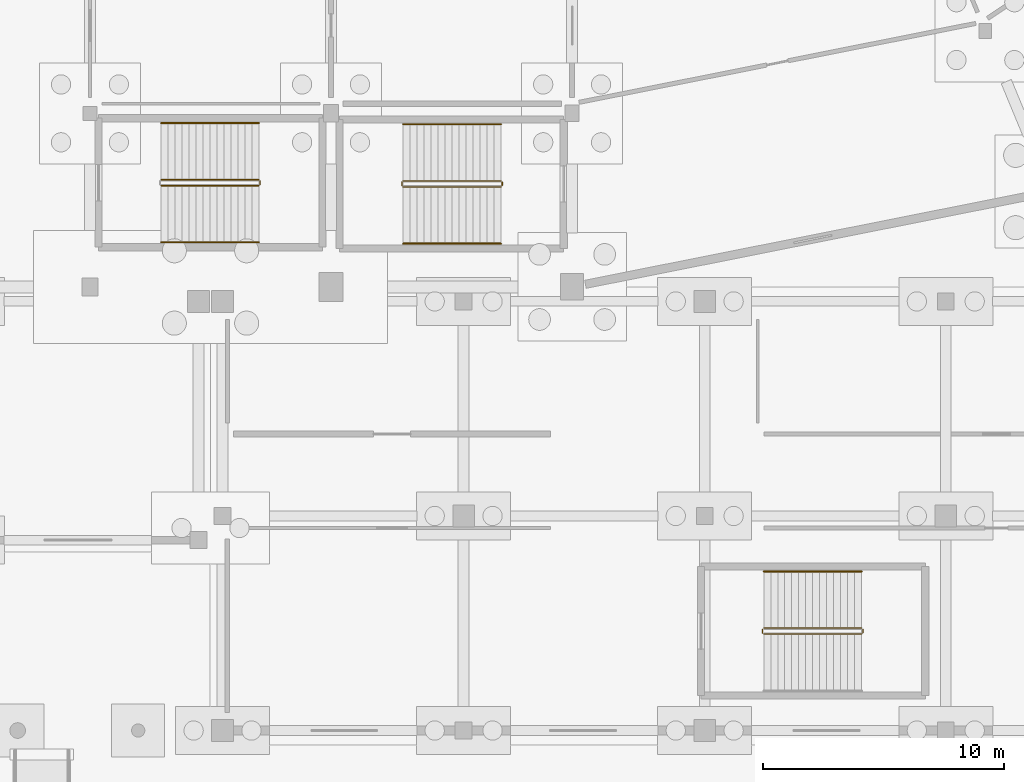
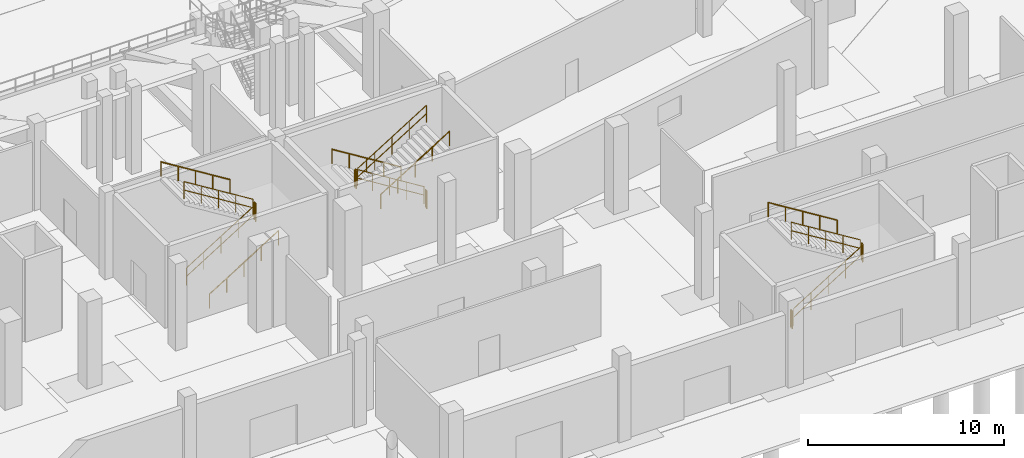
# One storey, part 56 of 68: 16 railings.
"""IFC4 building model written with IfcOpenShell, lengths in metres."""

from ifc_helpers import new_model, si_unit, direction, frame, origin, origin_2d, place, context, subcontext, project, spatial, circle, extrude, material, layer, layer_set, type_object, element, save


model = new_model("IFC4")

# Units and contexts
model_context = context("Model", 3, precision=1e-05, world=origin(), true_north=direction((0.0, 1.0)))
body_context = subcontext(model_context, "Body", "Model", "MODEL_VIEW")
ifc_project = project(units=[si_unit("LENGTHUNIT", "METRE"), si_unit("AREAUNIT", "SQUARE_METRE"), si_unit("VOLUMEUNIT", "CUBIC_METRE"), si_unit("PLANEANGLEUNIT", "RADIAN"), si_unit("MASSUNIT", "GRAM", prefix="KILO")], contexts=[model_context])

# Site, building, storey
site_placement = place(None, origin())
site = spatial("IfcSite", under=ifc_project, at=site_placement, CompositionType="ELEMENT")
building_placement = place(site_placement, origin())
building = spatial("IfcBuilding", under=site, at=building_placement, Name="Candeia Ridge Stadium", CompositionType="ELEMENT")
storey_placement = place(building_placement, origin())
storey = spatial("IfcBuildingStorey", under=building, at=storey_placement, Name="L00", CompositionType="ELEMENT", Elevation=0.0)

# Railings
ifc_material_1 = material(Name="Brushed Stainless Steel", Category="steel")
ifc_layer_1 = layer(ifc_material_1, 0.048095703125, Name="Brushed Stainless Steel", Category="steel")
ifc_layer_set_1 = layer_set([ifc_layer_1], Name="Brushed Stainless Steel")
railing_type_1 = type_object("IfcRailingType", Name="Stair Wall & Flight Handrail 900", PredefinedType="HANDRAIL", material=ifc_layer_set_1)
railing_1_placement = place(storey_placement, frame((138.050048828125, 25.75, 0.179931640625)))
element("IfcRailing", 1, at=railing_1_placement, inside=storey, type_object=railing_type_1, Name="L00 ST03 stair handrail 1", PredefinedType="HANDRAIL", context=body_context, shape_type="SweptSolid", body=[
    extrude(circle(Radius=0.02392578125, at=origin_2d()), frame((0.0, 0.0, 0.8759765625), z_axis=(-0.849641744969, 0.0, 0.527360318194), x_axis=(0.0, -1.0, 0.0)), (0.0, 0.0, 1.0), 4.778564453125),
    extrude(circle(Radius=0.02099609375, at=origin_2d()), origin(), (0.0, 0.0, 1.0), 0.851806640625),
    extrude(circle(Radius=0.02099609375, at=origin_2d()), frame((-1.01513671875, 0.0, 0.6298828125)), (0.0, 0.0, 1.0), 0.851806640625),
    extrude(circle(Radius=0.02099609375, at=origin_2d()), frame((-2.030029296875, 0.0, 1.260009765625)), (0.0, 0.0, 1.0), 0.851806640625),
    extrude(circle(Radius=0.02099609375, at=origin_2d()), frame((-3.044921875, 0.0, 1.89013671875)), (0.0, 0.0, 1.0), 0.851806640625),
    extrude(circle(Radius=0.02099609375, at=origin_2d()), frame((-4.06005859375, 0.0, 2.52001953125)), (0.0, 0.0, 1.0), 0.851806640625),
])
for number, where, name in (
    (2, (133.989990234375, 20.800048828125, 2.8798828125), "L00 ST03 stair handrail 2"),
    (3, (123.949951171875, 20.85009765625, 0.179931640625), "L00 ST12 stair handrail 1"),
):
    element("IfcRailing", number, at=place(storey_placement, frame(where)), inside=storey, type_object=railing_type_1, Name=name, PredefinedType="HANDRAIL", context=body_context, shape_type="SweptSolid", body=[
        extrude(circle(Radius=0.02392578125, at=origin_2d()), frame((0.0, 0.0, 0.8759765625), z_axis=(0.849641744969, 0.0, 0.527360318194), x_axis=(0.0, 1.0, 0.0)), (0.0, 0.0, 1.0), 4.778564453125),
        extrude(circle(Radius=0.02099609375, at=origin_2d()), origin(), (0.0, 0.0, 1.0), 0.851806640625),
        extrude(circle(Radius=0.02099609375, at=origin_2d()), frame((1.01513671875, 0.0, 0.6298828125)), (0.0, 0.0, 1.0), 0.851806640625),
        extrude(circle(Radius=0.02099609375, at=origin_2d()), frame((2.030029296875, 0.0, 1.260009765625)), (0.0, 0.0, 1.0), 0.851806640625),
        extrude(circle(Radius=0.02099609375, at=origin_2d()), frame((3.044921875, 0.0, 1.89013671875)), (0.0, 0.0, 1.0), 0.851806640625),
        extrude(circle(Radius=0.02099609375, at=origin_2d()), frame((4.06005859375, 0.0, 2.52001953125)), (0.0, 0.0, 1.0), 0.851806640625),
    ])
for number, where, name in (
    (4, (128.010009765625, 25.800048828125, 2.8798828125), "L00 ST12 stair handrail 2"),
    (5, (153.010009765625, 7.199951171875, 2.8798828125), "L00 ST14 stair handrail 2"),
):
    element("IfcRailing", number, at=place(storey_placement, frame(where)), inside=storey, type_object=railing_type_1, Name=name, PredefinedType="HANDRAIL", context=body_context, shape_type="SweptSolid", body=[
        extrude(circle(Radius=0.02392578125, at=origin_2d()), frame((0.0, 0.0, 0.8759765625), z_axis=(-0.849641744969, 0.0, 0.527360318194), x_axis=(0.0, -1.0, 0.0)), (0.0, 0.0, 1.0), 4.778564453125),
        extrude(circle(Radius=0.02099609375, at=origin_2d()), origin(), (0.0, 0.0, 1.0), 0.851806640625),
        extrude(circle(Radius=0.02099609375, at=origin_2d()), frame((-1.01513671875, 0.0, 0.6298828125)), (0.0, 0.0, 1.0), 0.851806640625),
        extrude(circle(Radius=0.02099609375, at=origin_2d()), frame((-2.030029296875, 0.0, 1.260009765625)), (0.0, 0.0, 1.0), 0.851806640625),
        extrude(circle(Radius=0.02099609375, at=origin_2d()), frame((-3.044921875, 0.0, 1.89013671875)), (0.0, 0.0, 1.0), 0.851806640625),
        extrude(circle(Radius=0.02099609375, at=origin_2d()), frame((-4.06005859375, 0.0, 2.52001953125)), (0.0, 0.0, 1.0), 0.851806640625),
    ])
ifc_material_2 = material(Name="Galvanized Powder-Coated Steel", Category="steel")
ifc_layer_2 = layer(ifc_material_2, 0.06005859375, Name="Galvanized Powder-Coated Steel", Category="steel")
ifc_layer_set_2 = layer_set([ifc_layer_2], Name="Galvanized Powder-Coated Steel")
railing_type_2 = type_object("IfcRailingType", Name="Stair Well Guardrail 1100", PredefinedType="GUARDRAIL", material=ifc_layer_set_2)
railing_2_placement = place(storey_placement, frame((138.050048828125, 23.39990234375, 0.179931640625)))
element("IfcRailing", 6, at=railing_2_placement, inside=storey, type_object=railing_type_2, Name="L00 ST03 stair guard 1", PredefinedType="GUARDRAIL", context=body_context, shape_type="SweptSolid", body=[
    extrude(circle(Radius=0.02392578125, at=origin_2d()), frame((0.0, 0.0, 1.076171875), z_axis=(-0.849641744969, 0.0, 0.527360318194), x_axis=(0.0, -1.0, 0.0)), (0.0, 0.0, 1.0), 4.778564453125),
    extrude(circle(Radius=0.02392578125, at=origin_2d()), frame((0.0, 0.0, 0.550048828125), z_axis=(-0.849641744969, 0.0, 0.527360318194), x_axis=(0.0, -1.0, 0.0)), (0.0, 0.0, 1.0), 4.778564453125),
    extrude(circle(Radius=0.02099609375, at=origin_2d()), origin(), (0.0, 0.0, 1.0), 1.052001953125),
    extrude(circle(Radius=0.02099609375, at=origin_2d()), frame((-1.01513671875, 0.0, 0.6298828125)), (0.0, 0.0, 1.0), 1.052001953125),
    extrude(circle(Radius=0.02099609375, at=origin_2d()), frame((-2.030029296875, 0.0, 1.260009765625)), (0.0, 0.0, 1.0), 1.052001953125),
    extrude(circle(Radius=0.02099609375, at=origin_2d()), frame((-3.044921875, 0.0, 1.89013671875)), (0.0, 0.0, 1.0), 1.052001953125),
    extrude(circle(Radius=0.02099609375, at=origin_2d()), frame((-4.06005859375, 0.0, 2.52001953125)), (0.0, 0.0, 1.0), 1.052001953125),
])
railing_3_placement = place(storey_placement, frame((133.93994140625, 23.35009765625, 2.699951171875)))
element("IfcRailing", 7, at=railing_3_placement, inside=storey, type_object=railing_type_2, Name="L00 ST03 stair guard 2", PredefinedType="GUARDRAIL", context=body_context, shape_type="SweptSolid", body=[
    extrude(circle(Radius=0.02392578125, at=origin_2d()), frame((0.0, 0.0, 1.076171875), z_axis=(0.0, -1.0, 0.0), x_axis=(1.0, 0.0, 0.0)), (0.0, 0.0, 1.0), 0.150146484375),
    extrude(circle(Radius=0.02392578125, at=origin_2d()), frame((0.0, 0.0, 0.550048828125), z_axis=(0.0, -1.0, 0.0), x_axis=(1.0, 0.0, 0.0)), (0.0, 0.0, 1.0), 0.150146484375),
    extrude(circle(Radius=0.02099609375, at=origin_2d()), origin(), (0.0, 0.0, 1.0), 1.052001953125),
    extrude(circle(Radius=0.02099609375, at=origin_2d()), frame((0.0, -0.150146484375, 0.0)), (0.0, 0.0, 1.0), 1.052001953125),
])
railing_4_placement = place(storey_placement, frame((133.989990234375, 23.14990234375, 2.8798828125)))
element("IfcRailing", 8, at=railing_4_placement, inside=storey, type_object=railing_type_2, Name="L00 ST03 stair guard 3", PredefinedType="GUARDRAIL", context=body_context, shape_type="SweptSolid", body=[
    extrude(circle(Radius=0.02392578125, at=origin_2d()), frame((0.0, 0.0, 1.076171875), z_axis=(0.849641744969, 0.0, 0.527360318194), x_axis=(0.0, 1.0, 0.0)), (0.0, 0.0, 1.0), 4.778564453125),
    extrude(circle(Radius=0.02392578125, at=origin_2d()), frame((0.0, 0.0, 0.550048828125), z_axis=(0.849641744969, 0.0, 0.527360318194), x_axis=(0.0, 1.0, 0.0)), (0.0, 0.0, 1.0), 4.778564453125),
    extrude(circle(Radius=0.02099609375, at=origin_2d()), origin(), (0.0, 0.0, 1.0), 1.052001953125),
    extrude(circle(Radius=0.02099609375, at=origin_2d()), frame((1.01513671875, 0.0, 0.6298828125)), (0.0, 0.0, 1.0), 1.052001953125),
    extrude(circle(Radius=0.02099609375, at=origin_2d()), frame((2.030029296875, 0.0, 1.260009765625)), (0.0, 0.0, 1.0), 1.052001953125),
    extrude(circle(Radius=0.02099609375, at=origin_2d()), frame((3.044921875, 0.0, 1.89013671875)), (0.0, 0.0, 1.0), 1.052001953125),
    extrude(circle(Radius=0.02099609375, at=origin_2d()), frame((4.06005859375, 0.0, 2.52001953125)), (0.0, 0.0, 1.0), 1.052001953125),
])
railing_5_placement = place(storey_placement, frame((138.10009765625, 23.35009765625, 0.0)))
element("IfcRailing", 9, at=railing_5_placement, inside=storey, type_object=railing_type_2, Name="L00 ST03 stair guard 4", PredefinedType="GUARDRAIL", context=body_context, shape_type="SweptSolid", body=[
    extrude(circle(Radius=0.02392578125, at=origin_2d()), frame((0.0, 0.0, 1.076171875), z_axis=(0.0, -1.0, 0.0), x_axis=(1.0, 0.0, 0.0)), (0.0, 0.0, 1.0), 0.150146484375),
    extrude(circle(Radius=0.02392578125, at=origin_2d()), frame((0.0, 0.0, 0.550048828125), z_axis=(0.0, -1.0, 0.0), x_axis=(1.0, 0.0, 0.0)), (0.0, 0.0, 1.0), 0.150146484375),
    extrude(circle(Radius=0.02099609375, at=origin_2d()), origin(), (0.0, 0.0, 1.0), 1.052001953125),
    extrude(circle(Radius=0.02099609375, at=origin_2d()), frame((0.0, -0.150146484375, 0.0)), (0.0, 0.0, 1.0), 1.052001953125),
])
railing_6_placement = place(storey_placement, frame((123.949951171875, 23.199951171875, 0.179931640625)))
element("IfcRailing", 10, at=railing_6_placement, inside=storey, type_object=railing_type_2, Name="L00 ST12 stair guard 1", PredefinedType="GUARDRAIL", context=body_context, shape_type="SweptSolid", body=[
    extrude(circle(Radius=0.02392578125, at=origin_2d()), frame((0.0, 0.0, 1.076171875), z_axis=(0.849641744969, 0.0, 0.527360318194), x_axis=(0.0, 1.0, 0.0)), (0.0, 0.0, 1.0), 4.778564453125),
    extrude(circle(Radius=0.02392578125, at=origin_2d()), frame((0.0, 0.0, 0.550048828125), z_axis=(0.849641744969, 0.0, 0.527360318194), x_axis=(0.0, 1.0, 0.0)), (0.0, 0.0, 1.0), 4.778564453125),
    extrude(circle(Radius=0.02099609375, at=origin_2d()), origin(), (0.0, 0.0, 1.0), 1.052001953125),
    extrude(circle(Radius=0.02099609375, at=origin_2d()), frame((1.01513671875, 0.0, 0.6298828125)), (0.0, 0.0, 1.0), 1.052001953125),
    extrude(circle(Radius=0.02099609375, at=origin_2d()), frame((2.030029296875, 0.0, 1.260009765625)), (0.0, 0.0, 1.0), 1.052001953125),
    extrude(circle(Radius=0.02099609375, at=origin_2d()), frame((3.044921875, 0.0, 1.89013671875)), (0.0, 0.0, 1.0), 1.052001953125),
    extrude(circle(Radius=0.02099609375, at=origin_2d()), frame((4.06005859375, 0.0, 2.52001953125)), (0.0, 0.0, 1.0), 1.052001953125),
])
railing_7_placement = place(storey_placement, frame((128.06005859375, 23.25, 2.699951171875)))
element("IfcRailing", 11, at=railing_7_placement, inside=storey, type_object=railing_type_2, Name="L00 ST12 stair guard 2", PredefinedType="GUARDRAIL", context=body_context, shape_type="SweptSolid", body=[
    extrude(circle(Radius=0.02392578125, at=origin_2d()), frame((0.0, 0.0, 1.076171875), z_axis=(0.0, 1.0, 0.0), x_axis=(-1.0, 0.0, 0.0)), (0.0, 0.0, 1.0), 0.14990234375),
    extrude(circle(Radius=0.02392578125, at=origin_2d()), frame((0.0, 0.0, 0.550048828125), z_axis=(0.0, 1.0, 0.0), x_axis=(-1.0, 0.0, 0.0)), (0.0, 0.0, 1.0), 0.14990234375),
    extrude(circle(Radius=0.02099609375, at=origin_2d()), origin(), (0.0, 0.0, 1.0), 1.052001953125),
    extrude(circle(Radius=0.02099609375, at=origin_2d()), frame((0.0, 0.14990234375, 0.0)), (0.0, 0.0, 1.0), 1.052001953125),
])
railing_8_placement = place(storey_placement, frame((128.010009765625, 23.449951171875, 2.8798828125)))
element("IfcRailing", 12, at=railing_8_placement, inside=storey, type_object=railing_type_2, Name="L00 ST12 stair guard 3", PredefinedType="GUARDRAIL", context=body_context, shape_type="SweptSolid", body=[
    extrude(circle(Radius=0.02392578125, at=origin_2d()), frame((0.0, 0.0, 1.076171875), z_axis=(-0.849641744969, 0.0, 0.527360318194), x_axis=(0.0, -1.0, 0.0)), (0.0, 0.0, 1.0), 4.778564453125),
    extrude(circle(Radius=0.02392578125, at=origin_2d()), frame((0.0, 0.0, 0.550048828125), z_axis=(-0.849641744969, 0.0, 0.527360318194), x_axis=(0.0, -1.0, 0.0)), (0.0, 0.0, 1.0), 4.778564453125),
    extrude(circle(Radius=0.02099609375, at=origin_2d()), origin(), (0.0, 0.0, 1.0), 1.052001953125),
    extrude(circle(Radius=0.02099609375, at=origin_2d()), frame((-1.01513671875, 0.0, 0.6298828125)), (0.0, 0.0, 1.0), 1.052001953125),
    extrude(circle(Radius=0.02099609375, at=origin_2d()), frame((-2.030029296875, 0.0, 1.260009765625)), (0.0, 0.0, 1.0), 1.052001953125),
    extrude(circle(Radius=0.02099609375, at=origin_2d()), frame((-3.044921875, 0.0, 1.89013671875)), (0.0, 0.0, 1.0), 1.052001953125),
    extrude(circle(Radius=0.02099609375, at=origin_2d()), frame((-4.06005859375, 0.0, 2.52001953125)), (0.0, 0.0, 1.0), 1.052001953125),
])
railing_9_placement = place(storey_placement, frame((148.949951171875, 4.60009765625, 0.179931640625)))
element("IfcRailing", 13, at=railing_9_placement, inside=storey, type_object=railing_type_2, Name="L00 ST14 stair guard 1", PredefinedType="GUARDRAIL", context=body_context, shape_type="SweptSolid", body=[
    extrude(circle(Radius=0.02392578125, at=origin_2d()), frame((0.0, 0.0, 1.076171875), z_axis=(0.849641744969, 0.0, 0.527360318194), x_axis=(0.0, 1.0, 0.0)), (0.0, 0.0, 1.0), 4.778564453125),
    extrude(circle(Radius=0.02392578125, at=origin_2d()), frame((0.0, 0.0, 0.550048828125), z_axis=(0.849641744969, 0.0, 0.527360318194), x_axis=(0.0, 1.0, 0.0)), (0.0, 0.0, 1.0), 4.778564453125),
    extrude(circle(Radius=0.02099609375, at=origin_2d()), origin(), (0.0, 0.0, 1.0), 1.052001953125),
    extrude(circle(Radius=0.02099609375, at=origin_2d()), frame((1.01513671875, 0.0, 0.6298828125)), (0.0, 0.0, 1.0), 1.052001953125),
    extrude(circle(Radius=0.02099609375, at=origin_2d()), frame((2.030029296875, 0.0, 1.260009765625)), (0.0, 0.0, 1.0), 1.052001953125),
    extrude(circle(Radius=0.02099609375, at=origin_2d()), frame((3.044921875, 0.0, 1.89013671875)), (0.0, 0.0, 1.0), 1.052001953125),
    extrude(circle(Radius=0.02099609375, at=origin_2d()), frame((4.06005859375, 0.0, 2.52001953125)), (0.0, 0.0, 1.0), 1.052001953125),
])
railing_10_placement = place(storey_placement, frame((153.06005859375, 4.64990234375, 2.699951171875)))
element("IfcRailing", 14, at=railing_10_placement, inside=storey, type_object=railing_type_2, Name="L00 ST14 stair guard 2", PredefinedType="GUARDRAIL", context=body_context, shape_type="SweptSolid", body=[
    extrude(circle(Radius=0.02392578125, at=origin_2d()), frame((0.0, 0.0, 1.076171875), z_axis=(0.0, 1.0, 0.0), x_axis=(-1.0, 0.0, 0.0)), (0.0, 0.0, 1.0), 0.150146484375),
    extrude(circle(Radius=0.02392578125, at=origin_2d()), frame((0.0, 0.0, 0.550048828125), z_axis=(0.0, 1.0, 0.0), x_axis=(-1.0, 0.0, 0.0)), (0.0, 0.0, 1.0), 0.150146484375),
    extrude(circle(Radius=0.02099609375, at=origin_2d()), origin(), (0.0, 0.0, 1.0), 1.052001953125),
    extrude(circle(Radius=0.02099609375, at=origin_2d()), frame((0.0, 0.150146484375, 0.0)), (0.0, 0.0, 1.0), 1.052001953125),
])
railing_11_placement = place(storey_placement, frame((153.010009765625, 4.85009765625, 2.8798828125)))
element("IfcRailing", 15, at=railing_11_placement, inside=storey, type_object=railing_type_2, Name="L00 ST14 stair guard 3", PredefinedType="GUARDRAIL", context=body_context, shape_type="SweptSolid", body=[
    extrude(circle(Radius=0.02392578125, at=origin_2d()), frame((0.0, 0.0, 1.076171875), z_axis=(-0.849641744969, 0.0, 0.527360318194), x_axis=(0.0, -1.0, 0.0)), (0.0, 0.0, 1.0), 4.778564453125),
    extrude(circle(Radius=0.02392578125, at=origin_2d()), frame((0.0, 0.0, 0.550048828125), z_axis=(-0.849641744969, 0.0, 0.527360318194), x_axis=(0.0, -1.0, 0.0)), (0.0, 0.0, 1.0), 4.778564453125),
    extrude(circle(Radius=0.02099609375, at=origin_2d()), origin(), (0.0, 0.0, 1.0), 1.052001953125),
    extrude(circle(Radius=0.02099609375, at=origin_2d()), frame((-1.01513671875, 0.0, 0.6298828125)), (0.0, 0.0, 1.0), 1.052001953125),
    extrude(circle(Radius=0.02099609375, at=origin_2d()), frame((-2.030029296875, 0.0, 1.260009765625)), (0.0, 0.0, 1.0), 1.052001953125),
    extrude(circle(Radius=0.02099609375, at=origin_2d()), frame((-3.044921875, 0.0, 1.89013671875)), (0.0, 0.0, 1.0), 1.052001953125),
    extrude(circle(Radius=0.02099609375, at=origin_2d()), frame((-4.06005859375, 0.0, 2.52001953125)), (0.0, 0.0, 1.0), 1.052001953125),
])
railing_12_placement = place(storey_placement, frame((148.89990234375, 4.64990234375, 0.0)))
element("IfcRailing", 16, at=railing_12_placement, inside=storey, type_object=railing_type_2, Name="L00 ST14 stair guard 4", PredefinedType="GUARDRAIL", context=body_context, shape_type="SweptSolid", body=[
    extrude(circle(Radius=0.02392578125, at=origin_2d()), frame((0.0, 0.0, 1.076171875), z_axis=(0.0, 1.0, 0.0), x_axis=(-1.0, 0.0, 0.0)), (0.0, 0.0, 1.0), 0.150146484375),
    extrude(circle(Radius=0.02392578125, at=origin_2d()), frame((0.0, 0.0, 0.550048828125), z_axis=(0.0, 1.0, 0.0), x_axis=(-1.0, 0.0, 0.0)), (0.0, 0.0, 1.0), 0.150146484375),
    extrude(circle(Radius=0.02099609375, at=origin_2d()), origin(), (0.0, 0.0, 1.0), 1.052001953125),
    extrude(circle(Radius=0.02099609375, at=origin_2d()), frame((0.0, 0.150146484375, 0.0)), (0.0, 0.0, 1.0), 1.052001953125),
])

save(model, "model.ifc")
